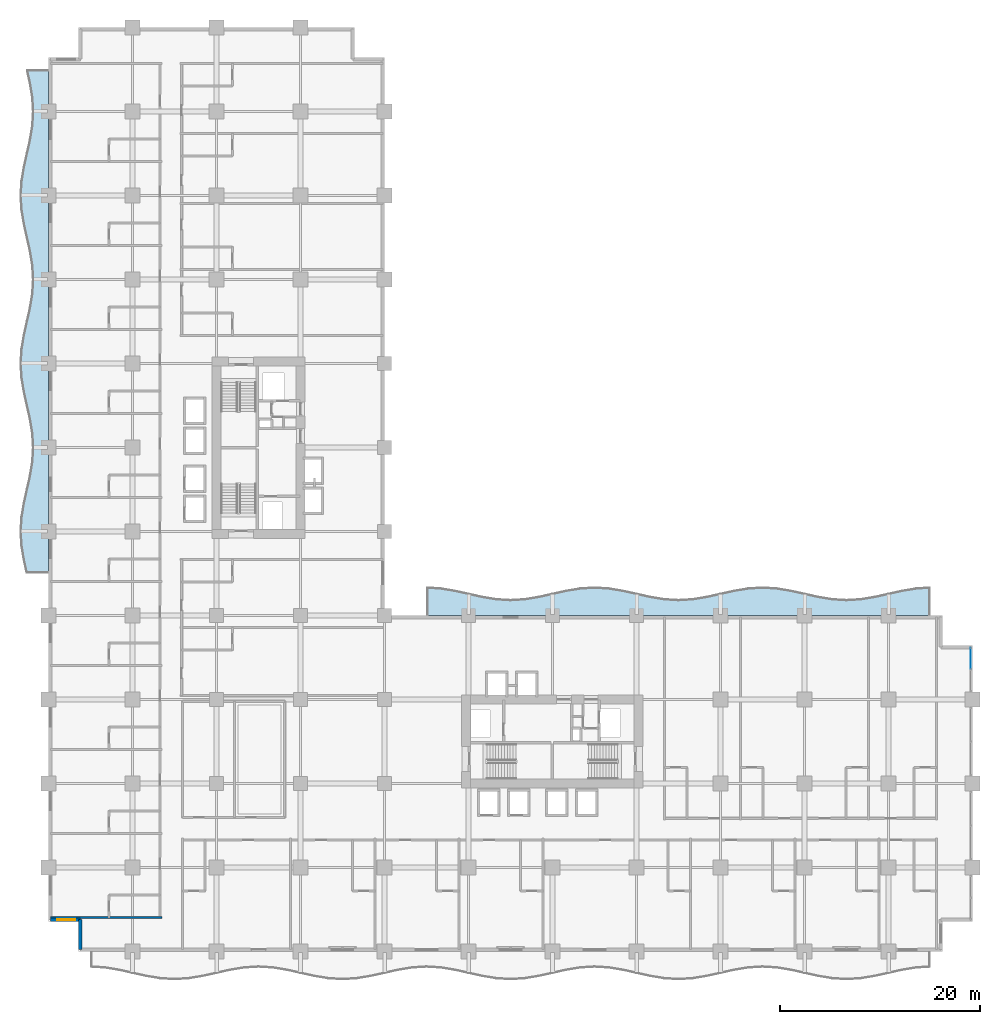
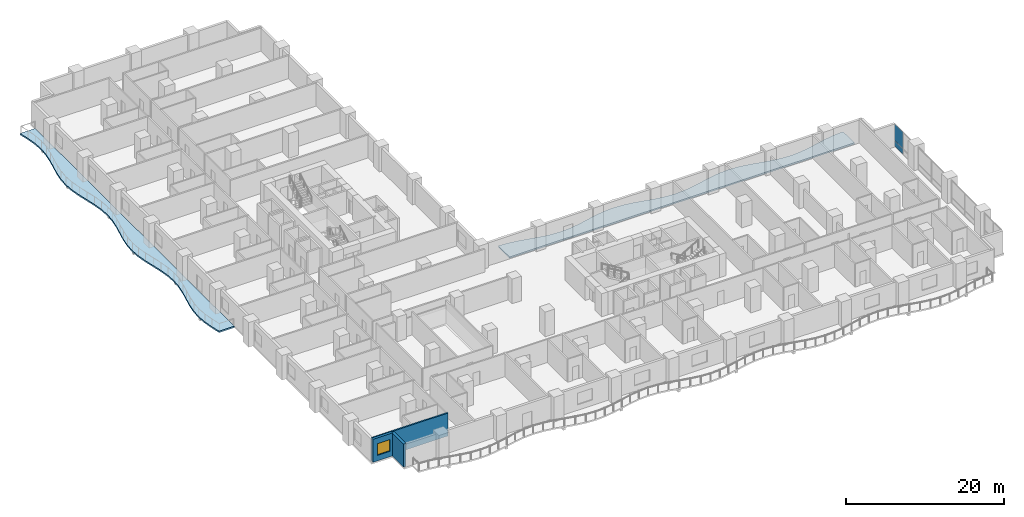
# One storey, part 9 of 26: 3 walls, 2 plates, 2 slabs, 1 window, 1 opening, 1 element without a shape of its own.
"""IFC4 building model written with IfcOpenShell, lengths in metres."""

from ifc_helpers import new_model, si_unit, direction, frame, frame_2d, origin, origin_2d, place, context, subcontext, project, spatial, polyline, rectangle, outline, extrude, material, layer, layer_set, type_object, element, fill, aggregate, save


model = new_model("IFC4")

# Units and contexts
model_context = context("Model", 3, precision=1e-05, world=origin(), true_north=direction((0.0, 1.0)))
body_context = subcontext(model_context, "Body", "Model", "MODEL_VIEW")
ifc_project = project(units=[si_unit("LENGTHUNIT", "METRE"), si_unit("AREAUNIT", "SQUARE_METRE"), si_unit("VOLUMEUNIT", "CUBIC_METRE"), si_unit("PLANEANGLEUNIT", "RADIAN"), si_unit("MASSUNIT", "GRAM", prefix="KILO")], contexts=[model_context])

# Site, building, storey
site_placement = place(None, origin())
site = spatial("IfcSite", under=ifc_project, at=site_placement, CompositionType="ELEMENT")
building_placement = place(site_placement, origin())
building = spatial("IfcBuilding", under=site, at=building_placement, Name="Koriwani Terraces Tower", CompositionType="ELEMENT")
storey_placement = place(building_placement, frame((0.0, 0.0, 39.60009765625)))
storey = spatial("IfcBuildingStorey", under=building, at=storey_placement, Name="L08", CompositionType="ELEMENT", Elevation=39.60009765625)

# Curtain wall, plates
ifc_material_1 = material(Name="Anodised Bronze Aluminium", Category="aluminium")
ifc_layer_1 = layer(ifc_material_1, 0.179931640625, Name="Anodised Bronze Aluminium")
ifc_layer_set_1 = layer_set([ifc_layer_1], Name="Anodised Bronze Aluminium")
curtain_wall_type = type_object("IfcCurtainWallType", Name="CW_HOTEL_ZONE1", PredefinedType="NOTDEFINED", material=ifc_layer_set_1)
curtain_wall_placement = place(storey_placement, origin())
curtain_wall = element("IfcCurtainWall", 1, at=curtain_wall_placement, inside=storey, type_object=curtain_wall_type, Name="L08 Unitised Curtain Wall (E_TIP) Bay 1", PredefinedType="NOTDEFINED")
ifc_material_2 = material(Name="Tempered Laminated Low-E Glass", Category="glass")
ifc_layer_2 = layer(ifc_material_2, 0.028076171875, Name="Tempered Laminated Low-E Glass")
ifc_layer_set_2 = layer_set([ifc_layer_2], Name="Tempered Laminated Low-E Glass")
plate_type = type_object("IfcPlateType", Name="CW_PANEL_VISION_28", PredefinedType="CURTAIN_PANEL", material=ifc_layer_set_2)
plate_1_placement = place(storey_placement, frame((92.22509765625, 29.302490234375, 0.06494140625), z_axis=(0.0, 0.0, 1.0), x_axis=(0.0, -1.0, 0.0)))
plate_1 = element("IfcPlate", 2, at=plate_1_placement, type_object=plate_type, Name="CW-Z1 panel 1.1", PredefinedType="CURTAIN_PANEL", context=body_context, shape_type="SweptSolid", body=[
    extrude(rectangle(XDim=2.094970703125, YDim=0.028076171875, at=origin_2d()), origin(), (0.0, 0.0, 1.0), 0.802490234375),
])
plate_2_placement = place(storey_placement, frame((92.22509765625, 29.302490234375, 0.9326171875), z_axis=(0.0, 0.0, 1.0), x_axis=(0.0, -1.0, 0.0)))
plate_2 = element("IfcPlate", 3, at=plate_2_placement, type_object=plate_type, Name="CW-Z1 panel 1.2", PredefinedType="CURTAIN_PANEL", context=body_context, shape_type="SweptSolid", body=[
    extrude(rectangle(XDim=2.094970703125, YDim=0.028076171875, at=origin_2d()), origin(), (0.0, 0.0, 1.0), 2.552490234375),
])
aggregate(curtain_wall, [plate_1, plate_2])

# Slabs
ifc_material_3 = material(Name="Concrete C40/50", Category="concrete")
ifc_layer_3 = layer(ifc_material_3, 0.219970703125, Name="Concrete C40/50")
ifc_layer_set_3 = layer_set([ifc_layer_3], Name="Concrete C40/50")
slab_type = type_object("IfcSlabType", Name="SLAB_BALCONY_220", PredefinedType="FLOOR", material=ifc_layer_set_3)
slab_1_placement = place(storey_placement, frame((0.0, 0.0, -0.22021484375)))
element("IfcSlab", 4, at=slab_1_placement, inside=storey, type_object=slab_type, Name="L08 Quilted Circular-Arc Balcony (W)", PredefinedType="FLOOR", context=body_context, shape_type="SweptSolid", body=[
    extrude(outline(polyline([(0.0, 37.800048828125), (0.0, 39.199951171875), (0.0, 40.60009765625), (0.0, 42.0), (0.0, 43.39990234375), (0.0, 44.800048828125), (0.0, 46.199951171875), (0.0, 47.60009765625), (0.0, 49.0), (0.0, 50.39990234375), (0.0, 51.800048828125), (0.0, 53.199951171875), (0.0, 54.60009765625), (0.0, 56.0), (0.0, 57.39990234375), (0.0, 58.800048828125), (0.0, 60.199951171875), (0.0, 61.60009765625), (0.0, 63.0), (0.0, 64.39990234375), (0.0, 65.800048828125), (0.0, 67.199951171875), (0.0, 68.60009765625), (0.0, 70.0), (0.0, 71.39990234375), (0.0, 72.800048828125), (0.0, 74.199951171875), (0.0, 75.60009765625), (0.0, 77.0), (0.0, 78.39990234375), (0.0, 79.800048828125), (0.0, 81.199951171875), (0.0, 82.60009765625), (0.0, 84.0), (0.0, 85.39990234375), (0.0, 86.800048828125), (0.0, 88.199951171875), (-2.22509765625, 88.199951171875), (-1.91259765625, 86.800048828125), (-1.68359375, 85.39990234375), (-1.60009765625, 84.0), (-1.68359375, 82.60009765625), (-1.91259765625, 81.199951171875), (-2.22509765625, 79.800048828125), (-2.53759765625, 78.39990234375), (-2.766357421875, 77.0), (-2.85009765625, 75.60009765625), (-2.766357421875, 74.199951171875), (-2.53759765625, 72.800048828125), (-2.22509765625, 71.39990234375), (-1.91259765625, 70.0), (-1.68359375, 68.60009765625), (-1.60009765625, 67.199951171875), (-1.68359375, 65.800048828125), (-1.91259765625, 64.39990234375), (-2.22509765625, 63.0), (-2.53759765625, 61.60009765625), (-2.766357421875, 60.199951171875), (-2.85009765625, 58.800048828125), (-2.766357421875, 57.39990234375), (-2.53759765625, 56.0), (-2.22509765625, 54.60009765625), (-1.91259765625, 53.199951171875), (-1.68359375, 51.800048828125), (-1.60009765625, 50.39990234375), (-1.68359375, 49.0), (-1.91259765625, 47.60009765625), (-2.22509765625, 46.199951171875), (-2.53759765625, 44.800048828125), (-2.766357421875, 43.39990234375), (-2.85009765625, 42.0), (-2.766357421875, 40.60009765625), (-2.53759765625, 39.199951171875), (-2.22509765625, 37.800048828125), (0.0, 37.800048828125)])), origin(), (0.0, 0.0, 1.0), 0.22021484375),
])
slab_2_placement = place(storey_placement, frame((0.0, 0.0, -0.22021484375)))
element("IfcSlab", 5, at=slab_2_placement, inside=storey, type_object=slab_type, Name="L08 Quilted Circular-Arc Balcony (NE)", PredefinedType="FLOOR", context=body_context, shape_type="SweptSolid", body=[
    extrude(outline(polyline([(88.199951171875, 33.60009765625), (86.800048828125, 33.60009765625), (85.39990234375, 33.60009765625), (84.0, 33.60009765625), (82.60009765625, 33.60009765625), (81.199951171875, 33.60009765625), (79.800048828125, 33.60009765625), (78.39990234375, 33.60009765625), (77.0, 33.60009765625), (75.60009765625, 33.60009765625), (74.199951171875, 33.60009765625), (72.800048828125, 33.60009765625), (71.39990234375, 33.60009765625), (70.0, 33.60009765625), (68.60009765625, 33.60009765625), (67.199951171875, 33.60009765625), (65.800048828125, 33.60009765625), (64.39990234375, 33.60009765625), (63.0, 33.60009765625), (61.60009765625, 33.60009765625), (60.199951171875, 33.60009765625), (58.800048828125, 33.60009765625), (57.39990234375, 33.60009765625), (56.0, 33.60009765625), (54.60009765625, 33.60009765625), (53.199951171875, 33.60009765625), (51.800048828125, 33.60009765625), (50.39990234375, 33.60009765625), (49.0, 33.60009765625), (47.60009765625, 33.60009765625), (46.199951171875, 33.60009765625), (44.800048828125, 33.60009765625), (43.39990234375, 33.60009765625), (42.0, 33.60009765625), (40.60009765625, 33.60009765625), (39.199951171875, 33.60009765625), (37.800048828125, 33.60009765625), (37.800048828125, 36.449951171875), (39.199951171875, 36.3662109375), (40.60009765625, 36.137451171875), (42.0, 35.824951171875), (43.39990234375, 35.512451171875), (44.800048828125, 35.28369140625), (46.199951171875, 35.199951171875), (47.60009765625, 35.28369140625), (49.0, 35.512451171875), (50.39990234375, 35.824951171875), (51.800048828125, 36.137451171875), (53.199951171875, 36.3662109375), (54.60009765625, 36.449951171875), (56.0, 36.3662109375), (57.39990234375, 36.137451171875), (58.800048828125, 35.824951171875), (60.199951171875, 35.512451171875), (61.60009765625, 35.28369140625), (63.0, 35.199951171875), (64.39990234375, 35.28369140625), (65.800048828125, 35.512451171875), (67.199951171875, 35.824951171875), (68.60009765625, 36.137451171875), (70.0, 36.3662109375), (71.39990234375, 36.449951171875), (72.800048828125, 36.3662109375), (74.199951171875, 36.137451171875), (75.60009765625, 35.824951171875), (77.0, 35.512451171875), (78.39990234375, 35.28369140625), (79.800048828125, 35.199951171875), (81.199951171875, 35.28369140625), (82.60009765625, 35.512451171875), (84.0, 35.824951171875), (85.39990234375, 36.137451171875), (86.800048828125, 36.3662109375), (88.199951171875, 36.449951171875), (88.199951171875, 33.60009765625)])), origin(), (0.0, 0.0, 1.0), 0.22021484375),
])

# Walls
ifc_material_4 = material(Name="Autoclaved Cellular Concrete Blockwork", Category="masonry")
ifc_layer_4 = layer(ifc_material_4, 0.219970703125, Name="Autoclaved Cellular Concrete Blockwork")
ifc_layer_set_4 = layer_set([ifc_layer_4], Name="Autoclaved Cellular Concrete Blockwork")
wall_type_1 = type_object("IfcWallType", Name="WALL_DEMISING_220", PredefinedType="PARTITIONING", material=ifc_layer_set_4)
wall_1_placement = place(storey_placement, frame((0.199951171875, 3.39990234375, 0.0), z_axis=(0.0, 0.0, 1.0), x_axis=(1.0, 0.0, 0.0)))
element("IfcWall", 6, at=wall_1_placement, inside=storey, type_object=wall_type_1, Name="L08 Interior Wall WDEM-L08-NW-0", PredefinedType="PARTITIONING", context=body_context, shape_type="SweptSolid", body=[
    extrude(rectangle(XDim=11.130126953125, YDim=0.219970703125, at=frame_2d((5.56494140625, 0.0))), origin(), (0.0, 0.0, 1.0), 3.5498046875),
])
ifc_material_5 = material(Name="Concrete C50/60", Category="concrete")
ifc_layer_5 = layer(ifc_material_5, 0.35009765625, Name="Concrete C50/60")
ifc_layer_set_5 = layer_set([ifc_layer_5], Name="Concrete C50/60")
wall_type_2 = type_object("IfcWallType", Name="WALL_EXT_BRUTALIST_350", PredefinedType="STANDARD", material=ifc_layer_set_5)
wall_2_placement = place(storey_placement, frame((3.175048828125, 0.175048828125, 0.0), z_axis=(0.0, 0.0, 1.0), x_axis=(0.0, 1.0, 0.0)))
element("IfcWall", 7, at=wall_2_placement, inside=storey, type_object=wall_type_2, Name="L08 Fair-Faced Brutalist Exterior Wall (N0)", PredefinedType="STANDARD", context=body_context, shape_type="SweptSolid", body=[
    extrude(rectangle(XDim=3.0, YDim=0.35009765625, at=frame_2d((1.5, 0.0))), origin(), (0.0, 0.0, 1.0), 3.5498046875),
])

# Wall, opening, window
wall_3_placement = place(storey_placement, frame((3.175048828125, 3.175048828125, 0.0), z_axis=(0.0, 0.0, 1.0), x_axis=(-1.0, 0.0, 0.0)))
wall_3 = element("IfcWall", 8, at=wall_3_placement, inside=storey, type_object=wall_type_2, Name="L08 Fair-Faced Brutalist Exterior Wall (N1)", PredefinedType="STANDARD", context=body_context, shape_type="SweptSolid", body=[
    extrude(rectangle(XDim=3.0, YDim=0.35009765625, at=frame_2d((1.5, 0.0))), origin(), (0.0, 0.0, 1.0), 3.5498046875),
])
opening_placement = place(wall_3_placement, frame((0.5224609375, 0.0, 0.85009765625)))
opening = element("IfcOpeningElement", 9, at=opening_placement, cuts=wall_3, Name="Opening W-04", PredefinedType="OPENING", context=body_context, shape_type="SweptSolid", body=[
    extrude(rectangle(XDim=1.800048828125, YDim=1.800048828125, at=frame_2d((0.89990234375, 0.89990234375))), frame((0.0, 0.18505859375, 0.0), z_axis=(0.0, -1.0, 0.0), x_axis=(1.0, 0.0, 0.0)), (0.0, 0.0, 1.0), 0.3701171875),
])
window_type = type_object("IfcWindowType", Name="WIN_RES_BED_1800X1800", PartitioningType="DOUBLE_PANEL_VERTICAL", PredefinedType="WINDOW", material=ifc_material_2)
window_placement = place(opening_placement, origin())
window = element("IfcWindow", 10, at=window_placement, inside=storey, type_object=window_type, Name="L08 Exterior Window (N1-R36)", OverallHeight=1.800048828125, OverallWidth=1.800048828125, PartitioningType="SINGLE_PANEL", PredefinedType="WINDOW", context=body_context, shape_type="SweptSolid", body=[
    extrude(rectangle(XDim=1.800048828125, YDim=1.800048828125, at=frame_2d((0.89990234375, 0.89990234375))), frame((0.0, 0.030029296875, 0.0), z_axis=(0.0, -1.0, 0.0), x_axis=(1.0, 0.0, 0.0)), (0.0, 0.0, 1.0), 0.06005859375),
])
fill(opening, window)

save(model, "model.ifc")
